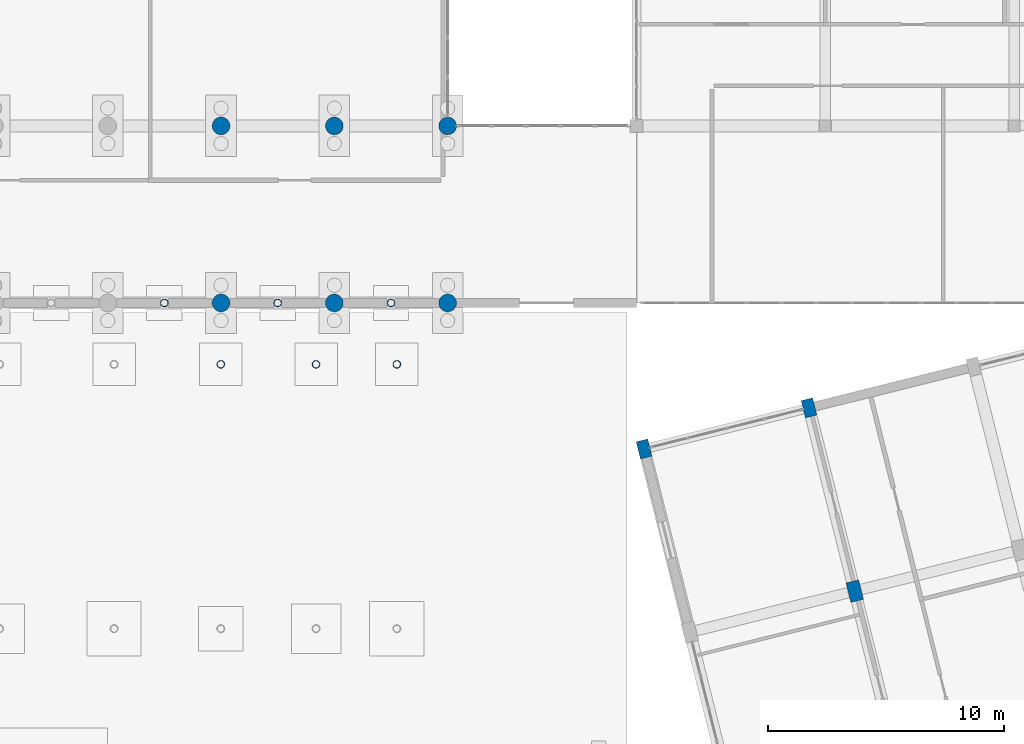
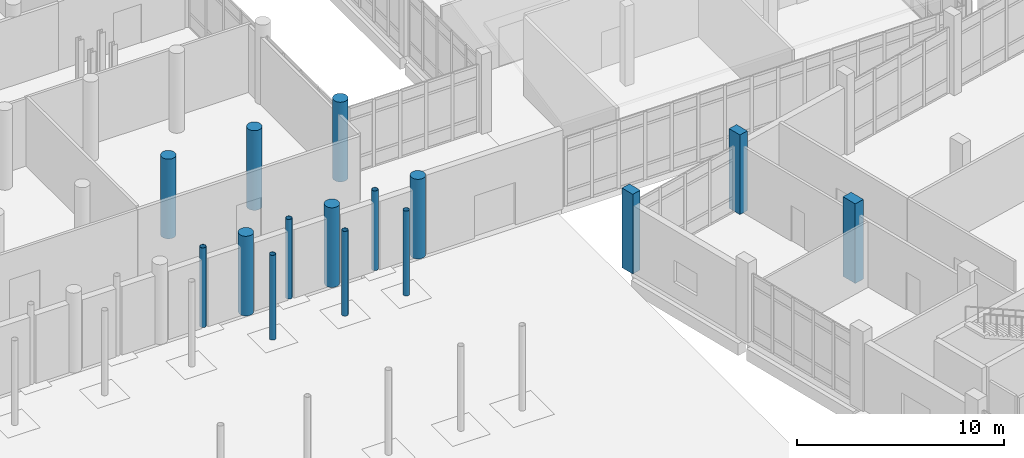
# One storey, part 16 of 173: 15 columns.
"""IFC4 building model written with IfcOpenShell, lengths in metres."""

from ifc_helpers import new_model, si_unit, direction, frame, origin, origin_2d, place, context, subcontext, project, spatial, rectangle, circle, hollow_circle, extrude, material, material_profile, profile_set, type_object, element, save


model = new_model("IFC4")

# Units and contexts
model_context = context("Model", 3, precision=1e-05, world=origin(), true_north=direction((0.0, 1.0)))
body_context = subcontext(model_context, "Body", "Model", "MODEL_VIEW")
ifc_project = project(units=[si_unit("LENGTHUNIT", "METRE"), si_unit("AREAUNIT", "SQUARE_METRE"), si_unit("VOLUMEUNIT", "CUBIC_METRE"), si_unit("PLANEANGLEUNIT", "RADIAN"), si_unit("MASSUNIT", "GRAM", prefix="KILO")], contexts=[model_context])

# Site, building, storey
site_placement = place(None, origin())
site = spatial("IfcSite", under=ifc_project, at=site_placement, CompositionType="ELEMENT")
building_placement = place(site_placement, origin())
building = spatial("IfcBuilding", under=site, at=building_placement, Name="Mawjan Specialist Oncology Clinic", CompositionType="ELEMENT")
storey_placement = place(building_placement, origin())
storey = spatial("IfcBuildingStorey", under=building, at=storey_placement, Name="L00", CompositionType="ELEMENT", Elevation=0.0)

# Columns
ifc_material_1 = material(Name="Concrete C45/55", Category="concrete")
ifc_material_profile_1 = material_profile(ifc_material_1, rectangle(XDim=0.5, YDim=0.75, at=origin_2d()), Name="RC COL 500x750", Category="concrete")
ifc_profile_set_1 = profile_set([ifc_material_profile_1], Name="Concrete C45/55")
column_type_1 = type_object("IfcColumnType", Name="C-500x750", PredefinedType="COLUMN", material=ifc_profile_set_1)
for number, where, z_axis, x_axis, name in (
    (1, (116.3232421875, 39.61181640625, 0.0), (0.0, 0.0, 1.0), (0.970295726276, 0.2419218956, 0.0), "L00 Column R-RA-R6"),
    (2, (123.309326171875, 41.353759765625, 0.0), (0.0, 0.0, 1.0), (0.970295726276, 0.2419218956, 0.0), "L00 Column R-RB-R6"),
):
    element("IfcColumn", number, at=place(storey_placement, frame(where, z_axis=z_axis, x_axis=x_axis)), inside=storey, type_object=column_type_1, Name=name, PredefinedType="COLUMN", context=body_context, shape_type="SweptSolid", body=[
        extrude(rectangle(XDim=0.5, YDim=0.75, at=origin_2d()), origin(), (0.0, 0.0, 1.0), 4.699951171875),
    ])
ifc_material_2 = material(Name="Concrete C45/55", Category="concrete")
ifc_material_profile_2 = material_profile(ifc_material_2, rectangle(XDim=0.550048828125, YDim=0.85009765625, at=origin_2d()), Name="RC COL 550x850", Category="concrete")
ifc_profile_set_2 = profile_set([ifc_material_profile_2], Name="Concrete C45/55")
column_type_2 = type_object("IfcColumnType", Name="C-550x850", PredefinedType="COLUMN", material=ifc_profile_set_2)
column_placement = place(storey_placement, frame((125.24462890625, 33.59130859375, 0.0), z_axis=(0.0, 0.0, 1.0), x_axis=(0.970295726276, 0.2419218956, 0.0)))
element("IfcColumn", 3, at=column_placement, inside=storey, type_object=column_type_2, Name="L00 Column R-RB-R5", PredefinedType="COLUMN", context=body_context, shape_type="SweptSolid", body=[
    extrude(rectangle(XDim=0.550048828125, YDim=0.85009765625, at=origin_2d()), origin(), (0.0, 0.0, 1.0), 4.699951171875),
])
ifc_material_3 = material(Name="Concrete C45/55", Category="concrete")
ifc_material_profile_3 = material_profile(ifc_material_3, circle(Radius=0.375, at=origin_2d()), Name="RC COL D750", Category="concrete")
ifc_profile_set_3 = profile_set([ifc_material_profile_3], Name="Concrete C45/55")
column_type_3 = type_object("IfcColumnType", Name="C-D750", PredefinedType="COLUMN", material=ifc_profile_set_3)
for number, where, z_axis, x_axis, name in (
    (4, (98.39990234375, 45.800048828125, 0.0), (0.0, 0.0, 1.0), (1.0, 0.0, 0.0), "L00 Column G-17-G"),
    (5, (98.39990234375, 53.300048828125, 0.0), (0.0, 0.0, 1.0), (1.0, 0.0, 0.0), "L00 Column G-17-H"),
    (6, (103.199951171875, 45.800048828125, 0.0), (0.0, 0.0, 1.0), (1.0, 0.0, 0.0), "L00 Column G-18-G"),
    (7, (103.199951171875, 53.300048828125, 0.0), (0.0, 0.0, 1.0), (1.0, 0.0, 0.0), "L00 Column G-18-H"),
    (8, (108.0, 45.800048828125, 0.0), (0.0, 0.0, 1.0), (1.0, 0.0, 0.0), "L00 Column G-19-G"),
    (9, (108.0, 53.300048828125, 0.0), (0.0, 0.0, 1.0), (1.0, 0.0, 0.0), "L00 Column G-19-H"),
):
    element("IfcColumn", number, at=place(storey_placement, frame(where, z_axis=z_axis, x_axis=x_axis)), inside=storey, type_object=column_type_3, Name=name, PredefinedType="COLUMN", context=body_context, shape_type="SweptSolid", body=[
        extrude(circle(Radius=0.375, at=origin_2d()), origin(), (0.0, 0.0, 1.0), 4.699951171875),
    ])
ifc_material_4 = material(Name="Structural steel S355", Category="steel")
ifc_material_profile_4 = material_profile(ifc_material_4, hollow_circle(Radius=0.161865234375, WallThickness=0.011962890625, at=origin_2d()), Name="CHS 323.9x12", Category="steel")
ifc_profile_set_4 = profile_set([ifc_material_profile_4], Name="Structural steel S355")
column_type_4 = type_object("IfcColumnType", Name="SC-CHS324", PredefinedType="COLUMN", material=ifc_profile_set_4)
for number, where, z_axis, x_axis, name in (
    (10, (96.0, 45.800048828125, 0.0), (0.0, 0.0, 1.0), (1.0, 0.0, 0.0), "Hall South Ridge L00 Column 08"),
    (11, (100.800048828125, 45.800048828125, 0.0), (0.0, 0.0, 1.0), (1.0, 0.0, 0.0), "Hall South Ridge L00 Column 09"),
    (12, (105.60009765625, 45.800048828125, 0.0), (0.0, 0.0, 1.0), (1.0, 0.0, 0.0), "Hall South Ridge L00 Column 10"),
):
    element("IfcColumn", number, at=place(storey_placement, frame(where, z_axis=z_axis, x_axis=x_axis)), inside=storey, type_object=column_type_4, Name=name, PredefinedType="COLUMN", context=body_context, shape_type="SweptSolid", body=[
        extrude(hollow_circle(Radius=0.161865234375, WallThickness=0.011962890625, at=origin_2d()), origin(), (0.0, 0.0, 1.0), 4.699951171875),
    ])
for number, where, z_axis, x_axis, name in (
    (13, (98.388671875, 43.199951171875, 0.0), (0.0, 0.0, 1.0), (1.0, 0.0, 0.0), "Courtyard North Colonnade Column 09 L00"),
    (14, (102.426513671875, 43.199951171875, 0.0), (0.0, 0.0, 1.0), (1.0, 0.0, 0.0), "Courtyard North Colonnade Column 10 L00"),
    (15, (105.847412109375, 43.199951171875, 0.0), (0.0, 0.0, 1.0), (1.0, 0.0, 0.0), "Courtyard North Colonnade Column 11 L00"),
):
    element("IfcColumn", number, at=place(storey_placement, frame(where, z_axis=z_axis, x_axis=x_axis)), inside=storey, type_object=column_type_4, Name=name, PredefinedType="COLUMN", context=body_context, shape_type="SweptSolid", body=[
        extrude(hollow_circle(Radius=0.161865234375, WallThickness=0.011962890625, at=origin_2d()), origin(), (0.0, 0.0, 1.0), 5.0),
    ])

save(model, "model.ifc")
